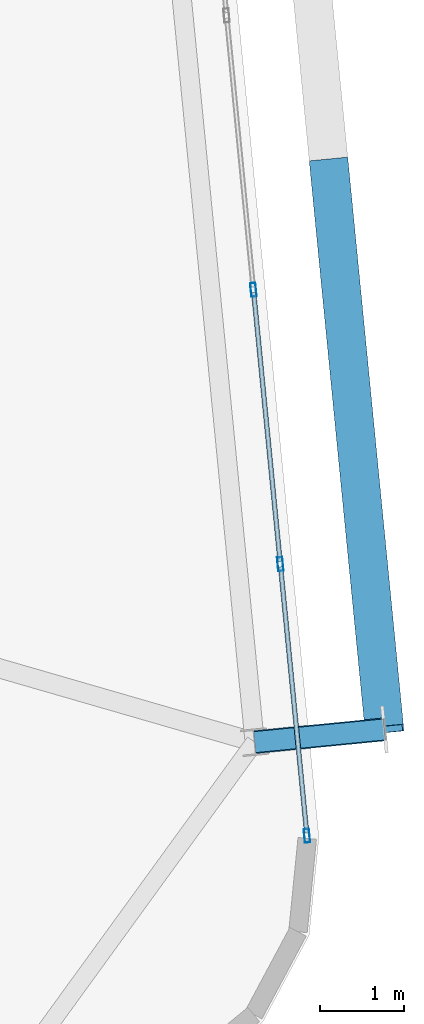
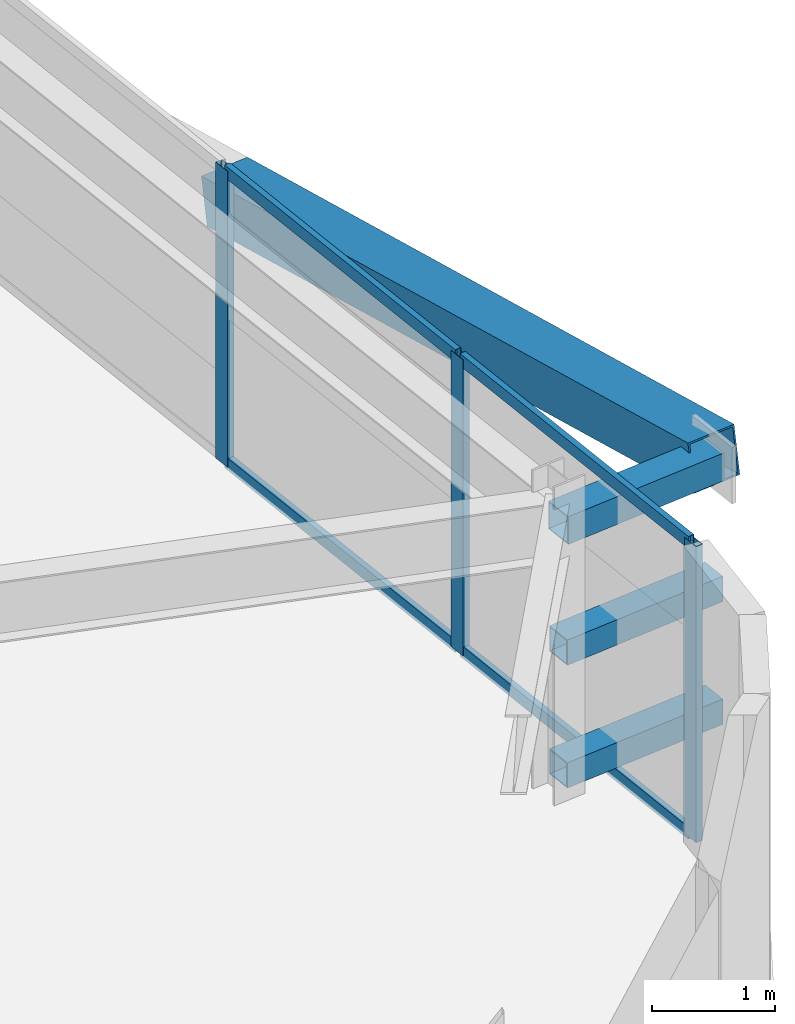
# One storey, part 22 of 53: 11 members, 1 element without a shape of its own.
"""IFC4 building model written with IfcOpenShell, lengths in metres."""

from ifc_helpers import new_model, si_unit, direction, frame, origin, origin_2d, place, context, subcontext, project, spatial, hollow_rectangle, extrude, source, transform, mapped, material, layer, layer_set, material_profile, profile_set, type_object, element, aggregate, save


model = new_model("IFC4")

# Units and contexts
model_context = context("Model", 3, precision=1e-05, world=origin(), true_north=direction((0.0, 1.0)))
body_context = subcontext(model_context, "Body", "Model", "MODEL_VIEW")
ifc_project = project(units=[si_unit("LENGTHUNIT", "METRE"), si_unit("AREAUNIT", "SQUARE_METRE"), si_unit("VOLUMEUNIT", "CUBIC_METRE"), si_unit("PLANEANGLEUNIT", "RADIAN"), si_unit("MASSUNIT", "GRAM", prefix="KILO")], contexts=[model_context])

# Site, building, storey
site_placement = place(None, origin())
site = spatial("IfcSite", under=ifc_project, at=site_placement, CompositionType="ELEMENT")
building_placement = place(site_placement, origin())
building = spatial("IfcBuilding", under=site, at=building_placement, Name="Taldren Reach Tower", CompositionType="ELEMENT")
storey_placement = place(building_placement, frame((0.0, 0.0, 84.0)))
storey = spatial("IfcBuildingStorey", under=building, at=storey_placement, Name="L25", CompositionType="ELEMENT", Elevation=84.0)

# Members
ifc_material_1 = material(Name="Steel Gr 450 (C450L0)", Category="steel")
ifc_material_profile_1 = material_profile(ifc_material_1, hollow_rectangle(XDim=0.27490234375, YDim=0.27490234375, WallThickness=0.00927734375, at=origin_2d()), Name="275x275x9.3SHS")
ifc_profile_set_1 = profile_set([ifc_material_profile_1], Name="Steel Gr 450 (C450L0)")
member_type_1 = type_object("IfcMemberType", Name="MB-TIE273", PredefinedType="STRUT", material=ifc_profile_set_1)
shared_shape_1 = source(origin(), body_context, "Body", "SweptSolid", [
    extrude(hollow_rectangle(XDim=0.27490234375, YDim=0.27490234375, WallThickness=0.00927734375, at=origin_2d()), origin(), (0.0, 0.0, 1.0), 1.550048828125),
])
member_1_placement = place(storey_placement, frame((65.8916015625, 8.483642578125, 2.64990234375), z_axis=(0.995236318924, 0.097491894511, 0.0), x_axis=(-0.097491894511, 0.995236318924, 0.0)))
element("IfcMember", 1, at=member_1_placement, inside=storey, type_object=member_type_1, Name="Exoskeleton diaphragm tie strut B2-E1 L25", PredefinedType="STRUT", context=body_context, shape_type="MappedRepresentation", body=[
    mapped(shared_shape_1, transform((0.0, 0.0, 0.0), scale=1.0)),
])
ifc_material_2 = material(Name="Steel Gr 350 (C350L0)", Category="steel")
ifc_material_profile_2 = material_profile(ifc_material_2, hollow_rectangle(XDim=0.25, YDim=0.25, WallThickness=0.010009765625, at=origin_2d()), Name="250x250x10.0SHS")
ifc_profile_set_2 = profile_set([ifc_material_profile_2], Name="Steel Gr 350 (C350L0)")
member_type_2 = type_object("IfcMemberType", Name="MB-POST250", PredefinedType="POST", material=ifc_profile_set_2)
shared_shape_2 = source(origin(), body_context, "Body", "SweptSolid", [
    extrude(hollow_rectangle(XDim=0.25, YDim=0.25, WallThickness=0.010009765625, at=origin_2d()), origin(), (0.0, 0.0, 1.0), 1.550048828125),
])
for number, where, z_axis, x_axis, name in (
    (2, (65.8916015625, 8.483642578125, 0.219970703125), (0.995236318924, 0.097491894511, 0.0), (-0.097491894511, 0.995236318924, 0.0), "Exoskeleton base diaphragm tie strut B2-E1 L25"),
    (3, (65.8916015625, 8.483642578125, 1.43505859375), (0.995236318924, 0.097491894511, 0.0), (-0.097491894511, 0.995236318924, 0.0), "Exoskeleton mid-tier diaphragm tie B2-E1 L25"),
):
    element("IfcMember", number, at=place(storey_placement, frame(where, z_axis=z_axis, x_axis=x_axis)), inside=storey, type_object=member_type_2, Name=name, PredefinedType="POST", context=body_context, shape_type="MappedRepresentation", body=[
        mapped(shared_shape_2, transform((0.0, 0.0, 0.0), scale=1.0)),
    ])
ifc_material_profile_3 = material_profile(ifc_material_1, hollow_rectangle(XDim=0.4599609375, YDim=0.4599609375, WallThickness=0.01611328125, at=origin_2d()), Name="460x460x16.0SHS")
ifc_profile_set_3 = profile_set([ifc_material_profile_3], Name="Steel Gr 450 (C450L0)")
member_type_3 = type_object("IfcMemberType", Name="MB-EXO457", PredefinedType="BRACE", material=ifc_profile_set_3)
shared_shape_3 = source(origin(), body_context, "Body", "SweptSolid", [
    extrude(hollow_rectangle(XDim=0.4599609375, YDim=0.4599609375, WallThickness=0.01611328125, at=origin_2d()), origin(), (0.0, 0.0, 1.0), 6.883056640625),
])
member_2_placement = place(storey_placement, frame((66.773193359375, 15.37744140625, 1.43505859375), z_axis=(0.096052059581, -0.979603316657, 0.176497432967), x_axis=(0.995227290009, 0.097584021339, 0.0)))
element("IfcMember", 4, at=member_2_placement, inside=storey, type_object=member_type_3, Name="Exoskeleton Diagrid Brace B2-E1 L25", PredefinedType="BRACE", context=body_context, shape_type="MappedRepresentation", body=[
    mapped(shared_shape_3, transform((0.0, 0.0, 0.0), scale=1.0)),
])

# Curtain wall, members
ifc_material_3 = material(Name="Aluminium and Low-E Glass Unitised System", Category="aluminium")
ifc_layer = layer(ifc_material_3, 0.159912109375)
ifc_layer_set = layer_set([ifc_layer], Name="Aluminium and Low-E Glass Unitised System")
curtain_wall_type = type_object("IfcCurtainWallType", Name="CW-SYS-3", PredefinedType="NOTDEFINED", material=ifc_layer_set)
curtain_wall_placement = place(storey_placement, origin())
curtain_wall = element("IfcCurtainWall", 5, at=curtain_wall_placement, inside=storey, type_object=curtain_wall_type, Name="Unitised curtain wall CW-L25-E", PredefinedType="NOTDEFINED")
ifc_material_4 = material(Name="Anodised Aluminium 6063-T6", Category="aluminium")
ifc_material_profile_4 = material_profile(ifc_material_4, hollow_rectangle(XDim=0.06494140625, YDim=0.1650390625, WallThickness=0.00390625, at=origin_2d()), Name="ALU-165x65x4RHS")
ifc_profile_set_4 = profile_set([ifc_material_profile_4], Name="Anodised Aluminium 6063-T6")
member_type_4 = type_object("IfcMemberType", Name="CW-MUL-165", PredefinedType="MULLION", material=ifc_profile_set_4)
shared_shape_4 = source(origin(), body_context, "Body", "SweptSolid", [
    extrude(hollow_rectangle(XDim=0.06494140625, YDim=0.1650390625, WallThickness=0.00390625, at=origin_2d()), origin(), (0.0, 0.0, 1.0), 2.929931640625),
])
member_3_placement = place(storey_placement, frame((66.51318359375, 7.371337890625, 0.0), z_axis=(0.0, 0.0, 1.0), x_axis=(-0.99522741555, -0.09758274098, 0.0)))
member_3 = element("IfcMember", 6, at=member_3_placement, type_object=member_type_4, Name="CW-3 mullion 1", PredefinedType="MULLION", context=body_context, shape_type="MappedRepresentation", body=[
    mapped(shared_shape_4, transform((0.0, 0.0, 0.0), scale=1.0)),
])
member_4_placement = place(storey_placement, frame((66.196533203125, 10.60107421875, 0.0), z_axis=(0.0, 0.0, 1.0), x_axis=(-0.99522741555, -0.09758274098, 0.0)))
member_4 = element("IfcMember", 7, at=member_4_placement, type_object=member_type_4, Name="CW-3 mullion 2", PredefinedType="MULLION", context=body_context, shape_type="MappedRepresentation", body=[
    mapped(shared_shape_4, transform((0.0, 0.0, 0.0), scale=1.0)),
])
member_5_placement = place(storey_placement, frame((65.876708984375, 13.86328125, 0.0), z_axis=(0.0, 0.0, 1.0), x_axis=(-0.99522741555, -0.09758274098, 0.0)))
member_5 = element("IfcMember", 8, at=member_5_placement, type_object=member_type_4, Name="CW-3 mullion 3", PredefinedType="MULLION", context=body_context, shape_type="MappedRepresentation", body=[
    mapped(shared_shape_4, transform((0.0, 0.0, 0.0), scale=1.0)),
])
ifc_material_profile_5 = material_profile(ifc_material_4, hollow_rectangle(XDim=0.054931640625, YDim=0.1201171875, WallThickness=0.0029296875, at=origin_2d()), Name="ALU-120x55x3RHS")
ifc_profile_set_5 = profile_set([ifc_material_profile_5], Name="Anodised Aluminium 6063-T6")
member_type_5 = type_object("IfcMemberType", Name="CW-TRN-135", PredefinedType="USERDEFINED", material=ifc_profile_set_5)
shared_shape_5 = source(origin(), body_context, "Body", "SweptSolid", [
    extrude(hollow_rectangle(XDim=0.054931640625, YDim=0.1201171875, WallThickness=0.0029296875, at=origin_2d()), origin(), (0.0, 0.0, 1.0), 3.18017578125),
])
member_6_placement = place(storey_placement, frame((66.510009765625, 7.40380859375, 0.027587890625), z_axis=(-0.097572914968, 0.995228378949, 0.0), x_axis=(-0.995228378949, -0.097572914968, 0.0)))
member_6 = element("IfcMember", 9, at=member_6_placement, type_object=member_type_5, Name="CW-3 transom 1.1", ObjectType="TRANSOM", PredefinedType="USERDEFINED", context=body_context, shape_type="MappedRepresentation", body=[
    mapped(shared_shape_5, transform((0.0, 0.0, 0.0), scale=1.0)),
])
member_7_placement = place(storey_placement, frame((66.510009765625, 7.40380859375, 2.902587890625), z_axis=(-0.097572914968, 0.995228378949, 0.0), x_axis=(-0.995228378949, -0.097572914968, 0.0)))
member_7 = element("IfcMember", 10, at=member_7_placement, type_object=member_type_5, Name="CW-3 transom 1.2", ObjectType="TRANSOM", PredefinedType="USERDEFINED", context=body_context, shape_type="MappedRepresentation", body=[
    mapped(shared_shape_5, transform((0.0, 0.0, 0.0), scale=1.0)),
])
shared_shape_6 = source(origin(), body_context, "Body", "SweptSolid", [
    extrude(hollow_rectangle(XDim=0.054931640625, YDim=0.1201171875, WallThickness=0.0029296875, at=origin_2d()), origin(), (0.0, 0.0, 1.0), 3.212890625),
])
member_8_placement = place(storey_placement, frame((66.193359375, 10.633544921875, 0.027587890625), z_axis=(-0.097569948235, 0.995228669805, 0.0), x_axis=(-0.995228669805, -0.097569948235, 0.0)))
member_8 = element("IfcMember", 11, at=member_8_placement, type_object=member_type_5, Name="CW-3 transom 2.1", ObjectType="TRANSOM", PredefinedType="USERDEFINED", context=body_context, shape_type="MappedRepresentation", body=[
    mapped(shared_shape_6, transform((0.0, 0.0, 0.0), scale=1.0)),
])
member_9_placement = place(storey_placement, frame((66.193359375, 10.633544921875, 2.902587890625), z_axis=(-0.097569948235, 0.995228669805, 0.0), x_axis=(-0.995228669805, -0.097569948235, 0.0)))
member_9 = element("IfcMember", 12, at=member_9_placement, type_object=member_type_5, Name="CW-3 transom 2.2", ObjectType="TRANSOM", PredefinedType="USERDEFINED", context=body_context, shape_type="MappedRepresentation", body=[
    mapped(shared_shape_6, transform((0.0, 0.0, 0.0), scale=1.0)),
])
aggregate(curtain_wall, [member_3, member_4, member_5, member_6, member_7, member_8, member_9])

save(model, "model.ifc")
